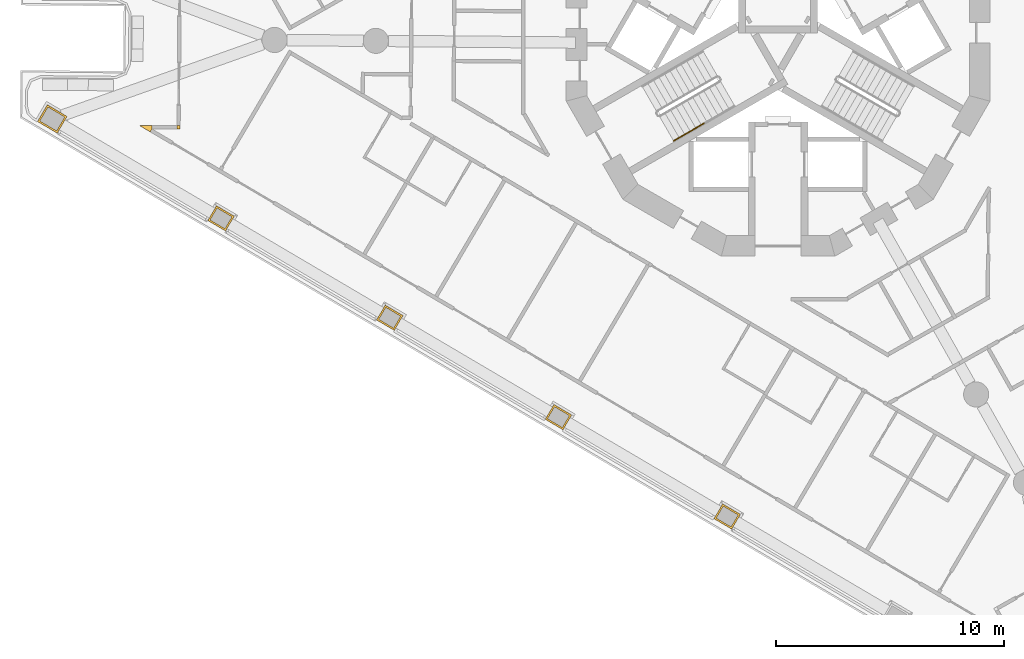
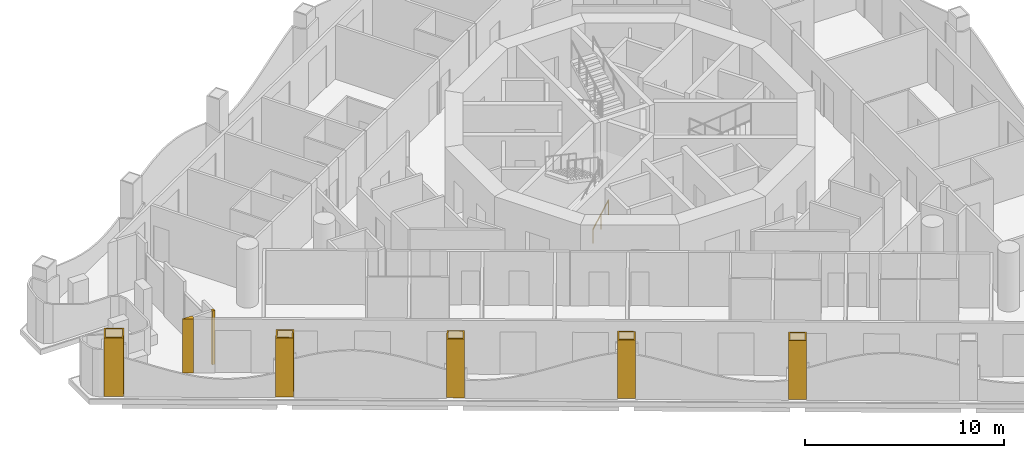
# One storey, part 12 of 18: 7 coverings, 1 railing.
"""IFC4 building model written with IfcOpenShell, lengths in metres."""

from ifc_helpers import new_model, si_unit, direction, frame, origin, origin_2d, place, context, subcontext, project, spatial, polyline, circle, outline, extrude, material, layer, layer_set, type_object, element, save


model = new_model("IFC4")

# Units and contexts
model_context = context("Model", 3, precision=1e-05, world=origin(), true_north=direction((0.0, 1.0)))
body_context = subcontext(model_context, "Body", "Model", "MODEL_VIEW")
ifc_project = project(units=[si_unit("LENGTHUNIT", "METRE"), si_unit("AREAUNIT", "SQUARE_METRE"), si_unit("VOLUMEUNIT", "CUBIC_METRE"), si_unit("PLANEANGLEUNIT", "RADIAN"), si_unit("MASSUNIT", "GRAM", prefix="KILO")], contexts=[model_context])

# Site, building, storey
site_placement = place(None, origin())
site = spatial("IfcSite", under=ifc_project, at=site_placement, CompositionType="ELEMENT")
building_placement = place(site_placement, origin())
building = spatial("IfcBuilding", under=site, at=building_placement, Name="Trine Commons Tower", CompositionType="ELEMENT")
storey_placement = place(building_placement, frame((0.0, 0.0, 171.89990234375)))
storey = spatial("IfcBuildingStorey", under=building, at=storey_placement, Name="L44", CompositionType="ELEMENT", Elevation=171.89990234375)

# Coverings
ifc_material_1 = material(Name="Aluminium-framed insulated wall panel", Category="aluminium")
ifc_layer_1 = layer(ifc_material_1, 0.14990234375)
ifc_layer_set_1 = layer_set([ifc_layer_1], Name="Aluminium-framed insulated wall panel")
covering_type_1 = type_object("IfcCoveringType", Name="Glazing corner post, aluminium", PredefinedType="CLADDING", material=ifc_layer_set_1)
covering_1_placement = place(storey_placement, origin())
element("IfcCovering", 1, at=covering_1_placement, inside=storey, type_object=covering_type_1, Name="Glazing corner post 5-01", PredefinedType="CLADDING", context=body_context, shape_type="SweptSolid", body=[
    extrude(outline(polyline([(52.519775390625, 58.669921875), (52.595947265625, 58.799072265625), (52.59716796875, 58.948974609375), (52.037353515625, 58.953857421875), (52.519775390625, 58.669921875)])), origin(), (0.0, 0.0, 1.0), 3.300048828125),
])
covering_2_placement = place(storey_placement, origin())
element("IfcCovering", 2, at=covering_2_placement, inside=storey, type_object=covering_type_1, Name="Glazing corner post 5-02", PredefinedType="CLADDING", context=body_context, shape_type="SweptSolid", body=[
    extrude(outline(polyline([(53.681640625, 58.78955078125), (53.83154296875, 58.7880859375), (53.8330078125, 58.938232421875), (53.682861328125, 58.939453125), (53.681640625, 58.78955078125)])), origin(), (0.0, 0.0, 1.0), 3.300048828125),
])
ifc_material_2 = material(Name="Limestone, honed", Category="masonry")
ifc_layer_2 = layer(ifc_material_2, 0.074951171875)
ifc_layer_set_2 = layer_set([ifc_layer_2], Name="Limestone, honed")
covering_type_2 = type_object("IfcCoveringType", Name="Limestone column cladding 75", PredefinedType="CLADDING", material=ifc_layer_set_2)
covering_3_placement = place(storey_placement, origin())
element("IfcCovering", 3, at=covering_3_placement, inside=storey, type_object=covering_type_2, Name="Limestone pier cladding 5-03", PredefinedType="CLADDING", context=body_context, shape_type="SweptSolid", body=[
    extrude(outline(polyline([(77.57568359375, 42.384521484375), (77.195068359375, 41.73828125), (77.970703125, 41.281494140625), (78.351318359375, 41.927734375), (77.57568359375, 42.384521484375)]), holes=[polyline([(77.602294921875, 42.28173828125), (77.2978515625, 41.764892578125), (77.944091796875, 41.38427734375), (78.24853515625, 41.901123046875), (77.602294921875, 42.28173828125)])]), origin(), (0.0, 0.0, 1.0), 3.60009765625),
])
covering_4_placement = place(storey_placement, origin())
element("IfcCovering", 4, at=covering_4_placement, inside=storey, type_object=covering_type_2, Name="Limestone pier cladding 5-04", PredefinedType="CLADDING", context=body_context, shape_type="SweptSolid", body=[
    extrude(outline(polyline([(70.191162109375, 46.734375), (69.810302734375, 46.088134765625), (70.5859375, 45.63134765625), (70.966552734375, 46.277587890625), (70.191162109375, 46.734375)]), holes=[polyline([(70.2177734375, 46.631591796875), (69.9130859375, 46.11474609375), (70.559326171875, 45.734130859375), (70.864013671875, 46.251220703125), (70.2177734375, 46.631591796875)])]), origin(), (0.0, 0.0, 1.0), 3.60009765625),
])
covering_5_placement = place(storey_placement, origin())
element("IfcCovering", 5, at=covering_5_placement, inside=storey, type_object=covering_type_2, Name="Limestone pier cladding 5-05", PredefinedType="CLADDING", context=body_context, shape_type="SweptSolid", body=[
    extrude(outline(polyline([(62.806396484375, 51.084228515625), (62.42578125, 50.43798828125), (63.201171875, 49.981201171875), (63.581787109375, 50.62744140625), (62.806396484375, 51.084228515625)]), holes=[polyline([(62.8330078125, 50.981689453125), (62.5283203125, 50.464599609375), (63.174560546875, 50.083984375), (63.479248046875, 50.60107421875), (62.8330078125, 50.981689453125)])]), origin(), (0.0, 0.0, 1.0), 3.60009765625),
])
covering_6_placement = place(storey_placement, origin())
element("IfcCovering", 6, at=covering_6_placement, inside=storey, type_object=covering_type_2, Name="Limestone pier cladding 5-06", PredefinedType="CLADDING", context=body_context, shape_type="SweptSolid", body=[
    extrude(outline(polyline([(55.421630859375, 55.43408203125), (55.041015625, 54.7880859375), (55.81640625, 54.331298828125), (56.197265625, 54.977294921875), (55.421630859375, 55.43408203125)]), holes=[polyline([(55.4482421875, 55.33154296875), (55.143798828125, 54.814453125), (55.789794921875, 54.433837890625), (56.094482421875, 54.950927734375), (55.4482421875, 55.33154296875)])]), origin(), (0.0, 0.0, 1.0), 3.60009765625),
])
covering_7_placement = place(storey_placement, origin())
element("IfcCovering", 7, at=covering_7_placement, inside=storey, type_object=covering_type_2, Name="Limestone pier cladding 5-07", PredefinedType="CLADDING", context=body_context, shape_type="SweptSolid", body=[
    extrude(outline(polyline([(48.019287109375, 59.8525390625), (47.587890625, 59.1201171875), (48.449462890625, 58.612548828125), (48.880859375, 59.344970703125), (48.019287109375, 59.8525390625)]), holes=[polyline([(48.0458984375, 59.75), (47.690673828125, 59.146728515625), (48.423095703125, 58.71533203125), (48.7783203125, 59.318603515625), (48.0458984375, 59.75)])]), origin(), (0.0, 0.0, 1.0), 3.60009765625),
])

# Railing
ifc_material_3 = material(Name="Stainless steel handrail", Category="steel")
railing_type = type_object("IfcRailingType", Name="Stair handrail, steel 900", PredefinedType="HANDRAIL", material=ifc_material_3)
railing_placement = place(storey_placement, frame((75.43017578125, 58.27392578125, 0.150146484375)))
element("IfcRailing", 8, at=railing_placement, inside=storey, type_object=railing_type, Name="L44 ST2B stair handrail 1", PredefinedType="HANDRAIL", context=body_context, shape_type="SweptSolid", body=[
    extrude(circle(Radius=0.02099609375, at=origin_2d()), frame((0.0, 0.0, 0.87890625), z_axis=(0.76340495495, 0.440743040072, 0.472184759798), x_axis=(-0.499992328818, 0.866029832698, 0.0)), (0.0, 0.0, 1.0), 1.7470703125),
    extrude(circle(Radius=0.01513671875, at=origin_2d()), origin(), (0.0, 0.0, 1.0), 0.85791015625),
    extrude(circle(Radius=0.01513671875, at=origin_2d()), frame((0.6669921875, 0.385009765625, 0.41259765625)), (0.0, 0.0, 1.0), 0.85791015625),
    extrude(circle(Radius=0.01513671875, at=origin_2d()), frame((1.333740234375, 0.77001953125, 0.824951171875)), (0.0, 0.0, 1.0), 0.85791015625),
])

save(model, "model.ifc")
